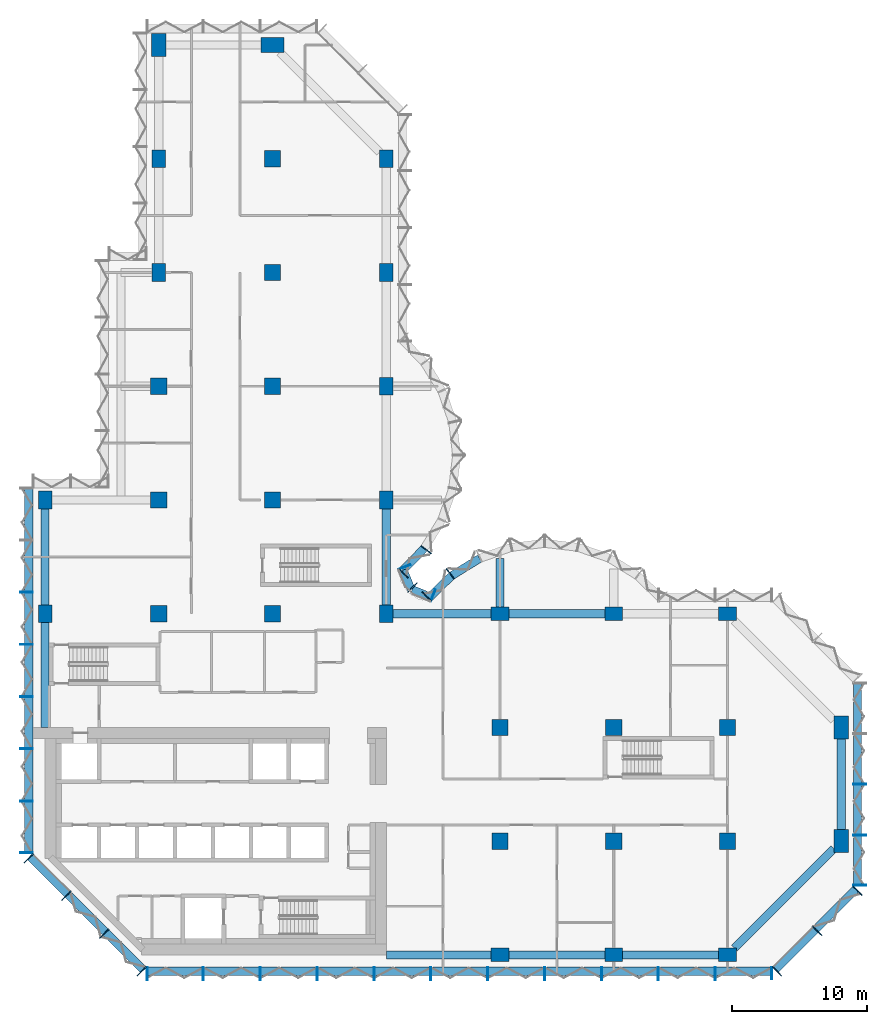
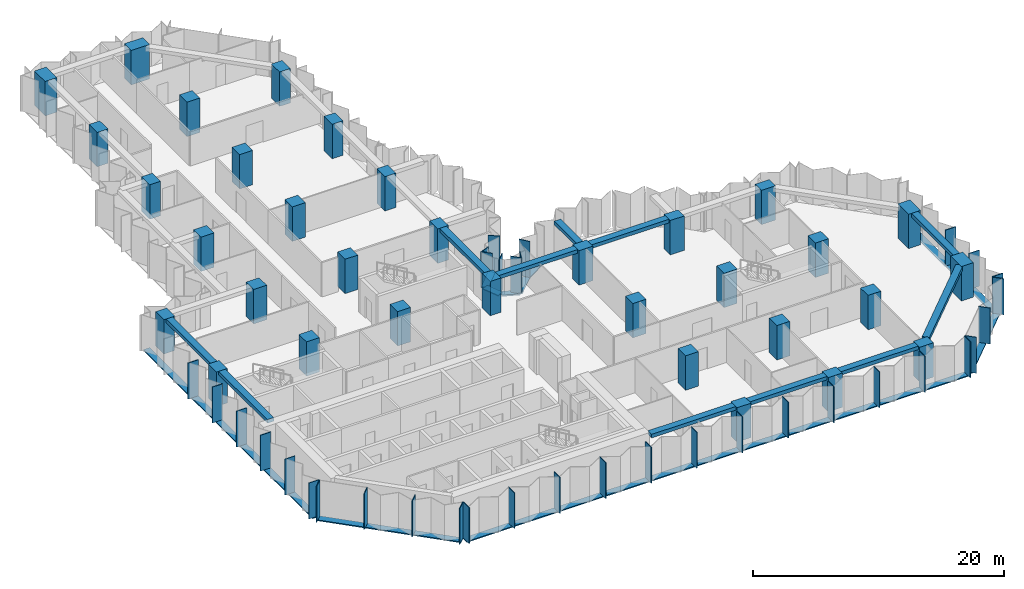
# One storey, part 1 of 11: 45 members, 33 columns, 11 beams, 8 elements without a shape of their own.
"""IFC4 building model written with IfcOpenShell, lengths in metres."""

from ifc_helpers import new_model, si_unit, direction, frame, origin, origin_2d, place, context, subcontext, project, spatial, rectangle, extrude, material, material_profile, profile_set, type_object, element, aggregate, save


model = new_model("IFC4")

# Units and contexts
model_context = context("Model", 3, precision=1e-05, world=origin(), true_north=direction((0.0, 1.0)))
body_context = subcontext(model_context, "Body", "Model", "MODEL_VIEW")
ifc_project = project(units=[si_unit("LENGTHUNIT", "METRE"), si_unit("AREAUNIT", "SQUARE_METRE"), si_unit("VOLUMEUNIT", "CUBIC_METRE"), si_unit("PLANEANGLEUNIT", "RADIAN"), si_unit("MASSUNIT", "GRAM", prefix="KILO")], contexts=[model_context])

# Site, building, storey
site_placement = place(None, origin())
site = spatial("IfcSite", under=ifc_project, at=site_placement, CompositionType="ELEMENT")
building_placement = place(site_placement, origin())
building = spatial("IfcBuilding", under=site, at=building_placement, Name="Brevane Broadcast Tower", CompositionType="ELEMENT")
storey_placement = place(building_placement, frame((0.0, 0.0, 138.5)))
storey = spatial("IfcBuildingStorey", under=building, at=storey_placement, Name="L34", CompositionType="ELEMENT", Elevation=138.5)

# Columns
ifc_material_1 = material(Name="Concrete C60/75", Category="concrete")
ifc_material_profile_1 = material_profile(ifc_material_1, rectangle(XDim=1.0, YDim=1.300048828125, at=origin_2d()), Name="RC 1000x1300")
ifc_profile_set_1 = profile_set([ifc_material_profile_1], Name="Concrete C60/75")
column_type_1 = type_object("IfcColumnType", Name="RC COLUMN EDGE 1000x1300 C60/75", PredefinedType="COLUMN", material=ifc_profile_set_1)
for number, where, z_axis, x_axis, name in (
    (1, (0.0, 25.199951171875, 0.0), (0.0, 0.0, 1.0), (1.0, 0.0, 0.0), "CE8 1/D"),
    (2, (0.0, 33.60009765625, 0.0), (0.0, 0.0, 1.0), (1.0, 0.0, 0.0), "CE8 1/E"),
    (3, (8.39990234375, 50.39990234375, 0.0), (0.0, 0.0, 1.0), (1.0, 0.0, 0.0), "CE8 2/G"),
    (4, (8.39990234375, 58.800048828125, 0.0), (0.0, 0.0, 1.0), (1.0, 0.0, 0.0), "CE8 2/H"),
    (5, (25.199951171875, 25.199951171875, 0.0), (0.0, 0.0, 1.0), (1.0, 0.0, 0.0), "CE8 4/D"),
    (6, (25.199951171875, 33.60009765625, 0.0), (0.0, 0.0, 1.0), (1.0, 0.0, 0.0), "CE8 4/E"),
    (7, (25.199951171875, 42.0, 0.0), (0.0, 0.0, 1.0), (1.0, 0.0, 0.0), "CE8 4/F"),
    (8, (25.199951171875, 50.39990234375, 0.0), (0.0, 0.0, 1.0), (1.0, 0.0, 0.0), "CE8 4/G"),
    (9, (25.199951171875, 58.800048828125, 0.0), (0.0, 0.0, 1.0), (1.0, 0.0, 0.0), "CE8 4/H"),
    (10, (33.60009765625, 0.0, 0.0), (0.0, 0.0, 1.0), (0.0, 1.0, 0.0), "CE8 5/A"),
    (11, (33.60009765625, 25.199951171875, 0.0), (0.0, 0.0, 1.0), (0.0, 1.0, 0.0), "CE8 5/D"),
    (12, (42.0, 0.0, 0.0), (0.0, 0.0, 1.0), (0.0, 1.0, 0.0), "CE8 6/A"),
    (13, (42.0, 25.199951171875, 0.0), (0.0, 0.0, 1.0), (0.0, 1.0, 0.0), "CE8 6/D"),
    (14, (50.39990234375, 0.0, 0.0), (0.0, 0.0, 1.0), (0.0, 1.0, 0.0), "CE8 7/A"),
    (15, (50.39990234375, 25.199951171875, 0.0), (0.0, 0.0, 1.0), (0.0, 1.0, 0.0), "CE8 7/D"),
):
    element("IfcColumn", number, at=place(storey_placement, frame(where, z_axis=z_axis, x_axis=x_axis)), inside=storey, type_object=column_type_1, Name=name, PredefinedType="COLUMN", context=body_context, shape_type="SweptSolid", body=[
        extrude(rectangle(XDim=1.0, YDim=1.300048828125, at=origin_2d()), origin(), (0.0, 0.0, 1.0), 3.35009765625),
    ])
ifc_material_profile_2 = material_profile(ifc_material_1, rectangle(XDim=1.199951171875, YDim=1.199951171875, at=origin_2d()), Name="RC 1200x1200")
ifc_profile_set_2 = profile_set([ifc_material_profile_2], Name="Concrete C60/75")
column_type_2 = type_object("IfcColumnType", Name="RC COLUMN INTERIOR 1200x1200 C60/75", PredefinedType="COLUMN", material=ifc_profile_set_2)
for number, where, z_axis, x_axis, name in (
    (16, (8.39990234375, 25.199951171875, 0.0), (0.0, 0.0, 1.0), (1.0, 0.0, 0.0), "CI9 2/D"),
    (17, (8.39990234375, 33.60009765625, 0.0), (0.0, 0.0, 1.0), (1.0, 0.0, 0.0), "CI9 2/E"),
    (18, (8.39990234375, 42.0, 0.0), (0.0, 0.0, 1.0), (1.0, 0.0, 0.0), "CI9 2/F"),
    (19, (16.800048828125, 25.199951171875, 0.0), (0.0, 0.0, 1.0), (1.0, 0.0, 0.0), "CI9 3/D"),
    (20, (16.800048828125, 33.60009765625, 0.0), (0.0, 0.0, 1.0), (1.0, 0.0, 0.0), "CI9 3/E"),
    (21, (16.800048828125, 42.0, 0.0), (0.0, 0.0, 1.0), (1.0, 0.0, 0.0), "CI9 3/F"),
    (22, (16.800048828125, 50.39990234375, 0.0), (0.0, 0.0, 1.0), (1.0, 0.0, 0.0), "CI9 3/G"),
    (23, (16.800048828125, 58.800048828125, 0.0), (0.0, 0.0, 1.0), (1.0, 0.0, 0.0), "CI9 3/H"),
    (24, (33.60009765625, 8.39990234375, 0.0), (0.0, 0.0, 1.0), (1.0, 0.0, 0.0), "CI9 5/B"),
    (25, (33.60009765625, 16.800048828125, 0.0), (0.0, 0.0, 1.0), (1.0, 0.0, 0.0), "CI9 5/C"),
    (26, (42.0, 8.39990234375, 0.0), (0.0, 0.0, 1.0), (1.0, 0.0, 0.0), "CI9 6/B"),
    (27, (42.0, 16.800048828125, 0.0), (0.0, 0.0, 1.0), (1.0, 0.0, 0.0), "CI9 6/C"),
    (28, (50.39990234375, 8.39990234375, 0.0), (0.0, 0.0, 1.0), (1.0, 0.0, 0.0), "CI9 7/B"),
    (29, (50.39990234375, 16.800048828125, 0.0), (0.0, 0.0, 1.0), (1.0, 0.0, 0.0), "CI9 7/C"),
):
    element("IfcColumn", number, at=place(storey_placement, frame(where, z_axis=z_axis, x_axis=x_axis)), inside=storey, type_object=column_type_2, Name=name, PredefinedType="COLUMN", context=body_context, shape_type="SweptSolid", body=[
        extrude(rectangle(XDim=1.199951171875, YDim=1.199951171875, at=origin_2d()), origin(), (0.0, 0.0, 1.0), 3.35009765625),
    ])
ifc_material_profile_3 = material_profile(ifc_material_1, rectangle(XDim=1.10009765625, YDim=1.699951171875, at=origin_2d()), Name="RC 1100x1700")
ifc_profile_set_3 = profile_set([ifc_material_profile_3], Name="Concrete C60/75")
column_type_3 = type_object("IfcColumnType", Name="RC COLUMN WING-END 1100x1700 C60/75", PredefinedType="COLUMN", material=ifc_profile_set_3)
for number, where, z_axis, x_axis, name in (
    (30, (8.39990234375, 67.199951171875, 0.0), (0.0, 0.0, 1.0), (1.0, 0.0, 0.0), "CW10 2/I"),
    (31, (16.800048828125, 67.199951171875, 0.0), (0.0, 0.0, 1.0), (0.0, 1.0, 0.0), "CW10 3/I"),
    (32, (58.800048828125, 8.39990234375, 0.0), (0.0, 0.0, 1.0), (1.0, 0.0, 0.0), "CW10 8/B"),
    (33, (58.800048828125, 16.800048828125, 0.0), (0.0, 0.0, 1.0), (1.0, 0.0, 0.0), "CW10 8/C"),
):
    element("IfcColumn", number, at=place(storey_placement, frame(where, z_axis=z_axis, x_axis=x_axis)), inside=storey, type_object=column_type_3, Name=name, PredefinedType="COLUMN", context=body_context, shape_type="SweptSolid", body=[
        extrude(rectangle(XDim=1.10009765625, YDim=1.699951171875, at=origin_2d()), origin(), (0.0, 0.0, 1.0), 3.35009765625),
    ])

# Curtain wall, members
ifc_material_2 = material(Name="Aluminium 6063-T6 bronze anodised", Category="aluminium")
curtain_wall_type = type_object("IfcCurtainWallType", Name="CW-1 curtain wall", PredefinedType="NOTDEFINED", material=ifc_material_2)
curtain_wall_1_placement = place(storey_placement, origin())
curtain_wall_1 = element("IfcCurtainWall", 34, at=curtain_wall_1_placement, inside=storey, type_object=curtain_wall_type, Name="CW-1 typical tilted unit L34 south face", PredefinedType="NOTDEFINED")
ifc_material_profile_4 = material_profile(ifc_material_2, rectangle(XDim=0.949951171875, YDim=0.070068359375, at=origin_2d()), Name="RECT 70x950")
ifc_profile_set_4 = profile_set([ifc_material_profile_4], Name="Aluminium 6063-T6 bronze anodised")
member_type_1 = type_object("IfcMemberType", Name="CW-1 mullion 70x950", PredefinedType="MULLION", material=ifc_profile_set_4)
member_1_placement = place(storey_placement, frame((7.534912109375, -1.375, -0.14990234375), z_axis=(0.0, 0.0, 1.0), x_axis=(0.0, 1.0, 0.0)))
member_1 = element("IfcMember", 35, at=member_1_placement, type_object=member_type_1, Name="CW-1 mullion", PredefinedType="MULLION", context=body_context, shape_type="SweptSolid", body=[
    extrude(rectangle(XDim=0.949951171875, YDim=0.070068359375, at=origin_2d()), origin(), (0.0, 0.0, 1.0), 3.5),
])
member_2_placement = place(storey_placement, frame((11.699951171875, -1.375, -0.14990234375), z_axis=(0.0, 0.0, 1.0), x_axis=(0.0, 1.0, 0.0)))
member_2 = element("IfcMember", 36, at=member_2_placement, type_object=member_type_1, Name="CW-1 mullion", PredefinedType="MULLION", context=body_context, shape_type="SweptSolid", body=[
    extrude(rectangle(XDim=0.949951171875, YDim=0.070068359375, at=origin_2d()), origin(), (0.0, 0.0, 1.0), 3.5),
])
member_3_placement = place(storey_placement, frame((15.89990234375, -1.375, -0.14990234375), z_axis=(0.0, 0.0, 1.0), x_axis=(0.0, 1.0, 0.0)))
member_3 = element("IfcMember", 37, at=member_3_placement, type_object=member_type_1, Name="CW-1 mullion", PredefinedType="MULLION", context=body_context, shape_type="SweptSolid", body=[
    extrude(rectangle(XDim=0.949951171875, YDim=0.070068359375, at=origin_2d()), origin(), (0.0, 0.0, 1.0), 3.5),
])
member_4_placement = place(storey_placement, frame((20.10009765625, -1.375, -0.14990234375), z_axis=(0.0, 0.0, 1.0), x_axis=(0.0, 1.0, 0.0)))
member_4 = element("IfcMember", 38, at=member_4_placement, type_object=member_type_1, Name="CW-1 mullion", PredefinedType="MULLION", context=body_context, shape_type="SweptSolid", body=[
    extrude(rectangle(XDim=0.949951171875, YDim=0.070068359375, at=origin_2d()), origin(), (0.0, 0.0, 1.0), 3.5),
])
member_5_placement = place(storey_placement, frame((24.300048828125, -1.375, -0.14990234375), z_axis=(0.0, 0.0, 1.0), x_axis=(0.0, 1.0, 0.0)))
member_5 = element("IfcMember", 39, at=member_5_placement, type_object=member_type_1, Name="CW-1 mullion", PredefinedType="MULLION", context=body_context, shape_type="SweptSolid", body=[
    extrude(rectangle(XDim=0.949951171875, YDim=0.070068359375, at=origin_2d()), origin(), (0.0, 0.0, 1.0), 3.5),
])
member_6_placement = place(storey_placement, frame((28.5, -1.375, -0.14990234375), z_axis=(0.0, 0.0, 1.0), x_axis=(0.0, 1.0, 0.0)))
member_6 = element("IfcMember", 40, at=member_6_placement, type_object=member_type_1, Name="CW-1 mullion", PredefinedType="MULLION", context=body_context, shape_type="SweptSolid", body=[
    extrude(rectangle(XDim=0.949951171875, YDim=0.070068359375, at=origin_2d()), origin(), (0.0, 0.0, 1.0), 3.5),
])
member_7_placement = place(storey_placement, frame((32.699951171875, -1.375, -0.14990234375), z_axis=(0.0, 0.0, 1.0), x_axis=(0.0, 1.0, 0.0)))
member_7 = element("IfcMember", 41, at=member_7_placement, type_object=member_type_1, Name="CW-1 mullion", PredefinedType="MULLION", context=body_context, shape_type="SweptSolid", body=[
    extrude(rectangle(XDim=0.949951171875, YDim=0.070068359375, at=origin_2d()), origin(), (0.0, 0.0, 1.0), 3.5),
])
member_8_placement = place(storey_placement, frame((36.89990234375, -1.375, -0.14990234375), z_axis=(0.0, 0.0, 1.0), x_axis=(0.0, 1.0, 0.0)))
member_8 = element("IfcMember", 42, at=member_8_placement, type_object=member_type_1, Name="CW-1 mullion", PredefinedType="MULLION", context=body_context, shape_type="SweptSolid", body=[
    extrude(rectangle(XDim=0.949951171875, YDim=0.070068359375, at=origin_2d()), origin(), (0.0, 0.0, 1.0), 3.5),
])
member_9_placement = place(storey_placement, frame((41.10009765625, -1.375, -0.14990234375), z_axis=(0.0, 0.0, 1.0), x_axis=(0.0, 1.0, 0.0)))
member_9 = element("IfcMember", 43, at=member_9_placement, type_object=member_type_1, Name="CW-1 mullion", PredefinedType="MULLION", context=body_context, shape_type="SweptSolid", body=[
    extrude(rectangle(XDim=0.949951171875, YDim=0.070068359375, at=origin_2d()), origin(), (0.0, 0.0, 1.0), 3.5),
])
member_10_placement = place(storey_placement, frame((45.300048828125, -1.375, -0.14990234375), z_axis=(0.0, 0.0, 1.0), x_axis=(0.0, 1.0, 0.0)))
member_10 = element("IfcMember", 44, at=member_10_placement, type_object=member_type_1, Name="CW-1 mullion", PredefinedType="MULLION", context=body_context, shape_type="SweptSolid", body=[
    extrude(rectangle(XDim=0.949951171875, YDim=0.070068359375, at=origin_2d()), origin(), (0.0, 0.0, 1.0), 3.5),
])
member_11_placement = place(storey_placement, frame((49.5, -1.375, -0.14990234375), z_axis=(0.0, 0.0, 1.0), x_axis=(0.0, 1.0, 0.0)))
member_11 = element("IfcMember", 45, at=member_11_placement, type_object=member_type_1, Name="CW-1 mullion", PredefinedType="MULLION", context=body_context, shape_type="SweptSolid", body=[
    extrude(rectangle(XDim=0.949951171875, YDim=0.070068359375, at=origin_2d()), origin(), (0.0, 0.0, 1.0), 3.5),
])
member_12_placement = place(storey_placement, frame((53.6650390625, -1.375, -0.14990234375), z_axis=(0.0, 0.0, 1.0), x_axis=(0.0, 1.0, 0.0)))
member_12 = element("IfcMember", 46, at=member_12_placement, type_object=member_type_1, Name="CW-1 mullion", PredefinedType="MULLION", context=body_context, shape_type="SweptSolid", body=[
    extrude(rectangle(XDim=0.949951171875, YDim=0.070068359375, at=origin_2d()), origin(), (0.0, 0.0, 1.0), 3.5),
])

curtain_wall_2_placement = place(storey_placement, origin())
curtain_wall_2 = element("IfcCurtainWall", 47, at=curtain_wall_2_placement, inside=storey, type_object=curtain_wall_type, Name="CW-1 typical tilted unit L34 south-east chamfer", PredefinedType="NOTDEFINED")
member_13_placement = place(storey_placement, frame((54.060546875, -1.211181640625, -0.14990234375), z_axis=(0.0, 0.0, 1.0), x_axis=(-0.707106781187, 0.707106781187, 0.0)))
member_13 = element("IfcMember", 48, at=member_13_placement, type_object=member_type_1, Name="CW-1 mullion", PredefinedType="MULLION", context=body_context, shape_type="SweptSolid", body=[
    extrude(rectangle(XDim=0.949951171875, YDim=0.070068359375, at=origin_2d()), origin(), (0.0, 0.0, 1.0), 3.5),
])
member_14_placement = place(storey_placement, frame((57.035888671875, 1.76416015625, -0.14990234375), z_axis=(0.0, 0.0, 1.0), x_axis=(-0.707106781187, 0.707106781187, 0.0)))
member_14 = element("IfcMember", 49, at=member_14_placement, type_object=member_type_1, Name="CW-1 mullion", PredefinedType="MULLION", context=body_context, shape_type="SweptSolid", body=[
    extrude(rectangle(XDim=0.949951171875, YDim=0.070068359375, at=origin_2d()), origin(), (0.0, 0.0, 1.0), 3.5),
])
member_15_placement = place(storey_placement, frame((60.01123046875, 4.7392578125, -0.14990234375), z_axis=(0.0, 0.0, 1.0), x_axis=(-0.707106781187, 0.707106781187, 0.0)))
member_15 = element("IfcMember", 50, at=member_15_placement, type_object=member_type_1, Name="CW-1 mullion", PredefinedType="MULLION", context=body_context, shape_type="SweptSolid", body=[
    extrude(rectangle(XDim=0.949951171875, YDim=0.070068359375, at=origin_2d()), origin(), (0.0, 0.0, 1.0), 3.5),
])

curtain_wall_3_placement = place(storey_placement, origin())
curtain_wall_3 = element("IfcCurtainWall", 51, at=curtain_wall_3_placement, inside=storey, type_object=curtain_wall_type, Name="CW-1 typical tilted unit L34 east end", PredefinedType="NOTDEFINED")
member_16_placement = place(storey_placement, frame((60.175048828125, 5.135009765625, -0.14990234375), z_axis=(0.0, 0.0, 1.0), x_axis=(-1.0, 0.0, 0.0)))
member_16 = element("IfcMember", 52, at=member_16_placement, type_object=member_type_1, Name="CW-1 mullion", PredefinedType="MULLION", context=body_context, shape_type="SweptSolid", body=[
    extrude(rectangle(XDim=0.949951171875, YDim=0.070068359375, at=origin_2d()), origin(), (0.0, 0.0, 1.0), 3.5),
])
member_17_placement = place(storey_placement, frame((60.175048828125, 8.85009765625, -0.14990234375), z_axis=(0.0, 0.0, 1.0), x_axis=(-1.0, 0.0, 0.0)))
member_17 = element("IfcMember", 53, at=member_17_placement, type_object=member_type_1, Name="CW-1 mullion", PredefinedType="MULLION", context=body_context, shape_type="SweptSolid", body=[
    extrude(rectangle(XDim=0.949951171875, YDim=0.070068359375, at=origin_2d()), origin(), (0.0, 0.0, 1.0), 3.5),
])
member_18_placement = place(storey_placement, frame((60.175048828125, 12.60009765625, -0.14990234375), z_axis=(0.0, 0.0, 1.0), x_axis=(-1.0, 0.0, 0.0)))
member_18 = element("IfcMember", 54, at=member_18_placement, type_object=member_type_1, Name="CW-1 mullion", PredefinedType="MULLION", context=body_context, shape_type="SweptSolid", body=[
    extrude(rectangle(XDim=0.949951171875, YDim=0.070068359375, at=origin_2d()), origin(), (0.0, 0.0, 1.0), 3.5),
])

curtain_wall_4_placement = place(storey_placement, origin())
curtain_wall_4 = element("IfcCurtainWall", 55, at=curtain_wall_4_placement, inside=storey, type_object=curtain_wall_type, Name="CW-1 typical tilted unit L34 east bow", PredefinedType="NOTDEFINED")
member_19_placement = place(storey_placement, frame((29.927978515625, 28.1455078125, -0.14990234375), z_axis=(0.0, 0.0, 1.0), x_axis=(0.614769738617, -0.788706642853, 0.0)))
member_19 = element("IfcMember", 56, at=member_19_placement, type_object=member_type_1, Name="CW-1 mullion", PredefinedType="MULLION", context=body_context, shape_type="SweptSolid", body=[
    extrude(rectangle(XDim=0.949951171875, YDim=0.070068359375, at=origin_2d()), origin(), (0.0, 0.0, 1.0), 3.5),
])
member_20_placement = place(storey_placement, frame((28.194091796875, 26.465087890625, -0.14990234375), z_axis=(0.0, 0.0, 1.0), x_axis=(0.696811941702, -0.717253872699, 0.0)))
member_20 = element("IfcMember", 57, at=member_20_placement, type_object=member_type_1, Name="CW-1 mullion", PredefinedType="MULLION", context=body_context, shape_type="SweptSolid", body=[
    extrude(rectangle(XDim=0.949951171875, YDim=0.070068359375, at=origin_2d()), origin(), (0.0, 0.0, 1.0), 3.5),
])

curtain_wall_5_placement = place(storey_placement, origin())
curtain_wall_5 = element("IfcCurtainWall", 58, at=curtain_wall_5_placement, inside=storey, type_object=curtain_wall_type, Name="CW-1 typical tilted unit L34 inner corner", PredefinedType="NOTDEFINED")
member_21_placement = place(storey_placement, frame((28.6494140625, 26.55224609375, -0.14990234375), z_axis=(0.0, 0.0, 1.0), x_axis=(-0.382683612978, -0.923879457699, 0.0)))
member_21 = element("IfcMember", 59, at=member_21_placement, type_object=member_type_1, Name="CW-1 mullion", PredefinedType="MULLION", context=body_context, shape_type="SweptSolid", body=[
    extrude(rectangle(XDim=0.949951171875, YDim=0.070068359375, at=origin_2d()), origin(), (0.0, 0.0, 1.0), 3.5),
])
member_22_placement = place(storey_placement, frame((27.138916015625, 27.138916015625, -0.14990234375), z_axis=(0.0, 0.0, 1.0), x_axis=(-0.707106781187, -0.707106781187, 0.0)))
member_22 = element("IfcMember", 60, at=member_22_placement, type_object=member_type_1, Name="CW-1 mullion", PredefinedType="MULLION", context=body_context, shape_type="SweptSolid", body=[
    extrude(rectangle(XDim=0.949951171875, YDim=0.070068359375, at=origin_2d()), origin(), (0.0, 0.0, 1.0), 3.5),
])
member_23_placement = place(storey_placement, frame((26.55224609375, 28.6494140625, -0.14990234375), z_axis=(0.0, 0.0, 1.0), x_axis=(-0.923879457699, -0.382683612978, 0.0)))
member_23 = element("IfcMember", 61, at=member_23_placement, type_object=member_type_1, Name="CW-1 mullion", PredefinedType="MULLION", context=body_context, shape_type="SweptSolid", body=[
    extrude(rectangle(XDim=0.949951171875, YDim=0.070068359375, at=origin_2d()), origin(), (0.0, 0.0, 1.0), 3.5),
])

curtain_wall_6_placement = place(storey_placement, origin())
curtain_wall_6 = element("IfcCurtainWall", 62, at=curtain_wall_6_placement, inside=storey, type_object=curtain_wall_type, Name="CW-1 typical tilted unit L34 north bow", PredefinedType="NOTDEFINED")
member_24_placement = place(storey_placement, frame((26.465087890625, 28.194091796875, -0.14990234375), z_axis=(0.0, 0.0, 1.0), x_axis=(-0.717253872699, 0.696811941702, 0.0)))
member_24 = element("IfcMember", 63, at=member_24_placement, type_object=member_type_1, Name="CW-1 mullion", PredefinedType="MULLION", context=body_context, shape_type="SweptSolid", body=[
    extrude(rectangle(XDim=0.949951171875, YDim=0.070068359375, at=origin_2d()), origin(), (0.0, 0.0, 1.0), 3.5),
])
member_25_placement = place(storey_placement, frame((28.1455078125, 29.927978515625, -0.14990234375), z_axis=(0.0, 0.0, 1.0), x_axis=(-0.788706642853, 0.614769738617, 0.0)))
member_25 = element("IfcMember", 64, at=member_25_placement, type_object=member_type_1, Name="CW-1 mullion", PredefinedType="MULLION", context=body_context, shape_type="SweptSolid", body=[
    extrude(rectangle(XDim=0.949951171875, YDim=0.070068359375, at=origin_2d()), origin(), (0.0, 0.0, 1.0), 3.5),
])

curtain_wall_7_placement = place(storey_placement, origin())
curtain_wall_7 = element("IfcCurtainWall", 65, at=curtain_wall_7_placement, inside=storey, type_object=curtain_wall_type, Name="CW-1 typical tilted unit L34 west face", PredefinedType="NOTDEFINED")
member_26_placement = place(storey_placement, frame((-1.375, 26.78564453125, -0.14990234375), z_axis=(0.0, 0.0, 1.0), x_axis=(1.0, 0.0, 0.0)))
member_26 = element("IfcMember", 66, at=member_26_placement, type_object=member_type_1, Name="CW-1 mullion", PredefinedType="MULLION", context=body_context, shape_type="SweptSolid", body=[
    extrude(rectangle(XDim=0.949951171875, YDim=0.070068359375, at=origin_2d()), origin(), (0.0, 0.0, 1.0), 3.5),
])
member_27_placement = place(storey_placement, frame((-1.375, 22.928466796875, -0.14990234375), z_axis=(0.0, 0.0, 1.0), x_axis=(1.0, 0.0, 0.0)))
member_27 = element("IfcMember", 67, at=member_27_placement, type_object=member_type_1, Name="CW-1 mullion", PredefinedType="MULLION", context=body_context, shape_type="SweptSolid", body=[
    extrude(rectangle(XDim=0.949951171875, YDim=0.070068359375, at=origin_2d()), origin(), (0.0, 0.0, 1.0), 3.5),
])
member_28_placement = place(storey_placement, frame((-1.375, 19.071533203125, -0.14990234375), z_axis=(0.0, 0.0, 1.0), x_axis=(1.0, 0.0, 0.0)))
member_28 = element("IfcMember", 68, at=member_28_placement, type_object=member_type_1, Name="CW-1 mullion", PredefinedType="MULLION", context=body_context, shape_type="SweptSolid", body=[
    extrude(rectangle(XDim=0.949951171875, YDim=0.070068359375, at=origin_2d()), origin(), (0.0, 0.0, 1.0), 3.5),
])
member_29_placement = place(storey_placement, frame((-1.375, 15.21435546875, -0.14990234375), z_axis=(0.0, 0.0, 1.0), x_axis=(1.0, 0.0, 0.0)))
member_29 = element("IfcMember", 69, at=member_29_placement, type_object=member_type_1, Name="CW-1 mullion", PredefinedType="MULLION", context=body_context, shape_type="SweptSolid", body=[
    extrude(rectangle(XDim=0.949951171875, YDim=0.070068359375, at=origin_2d()), origin(), (0.0, 0.0, 1.0), 3.5),
])
member_30_placement = place(storey_placement, frame((-1.375, 11.357177734375, -0.14990234375), z_axis=(0.0, 0.0, 1.0), x_axis=(1.0, 0.0, 0.0)))
member_30 = element("IfcMember", 70, at=member_30_placement, type_object=member_type_1, Name="CW-1 mullion", PredefinedType="MULLION", context=body_context, shape_type="SweptSolid", body=[
    extrude(rectangle(XDim=0.949951171875, YDim=0.070068359375, at=origin_2d()), origin(), (0.0, 0.0, 1.0), 3.5),
])
member_31_placement = place(storey_placement, frame((-1.375, 7.534912109375, -0.14990234375), z_axis=(0.0, 0.0, 1.0), x_axis=(1.0, 0.0, 0.0)))
member_31 = element("IfcMember", 71, at=member_31_placement, type_object=member_type_1, Name="CW-1 mullion", PredefinedType="MULLION", context=body_context, shape_type="SweptSolid", body=[
    extrude(rectangle(XDim=0.949951171875, YDim=0.070068359375, at=origin_2d()), origin(), (0.0, 0.0, 1.0), 3.5),
])

curtain_wall_8_placement = place(storey_placement, origin())
curtain_wall_8 = element("IfcCurtainWall", 72, at=curtain_wall_8_placement, inside=storey, type_object=curtain_wall_type, Name="CW-1 typical tilted unit L34 south-west chamfer", PredefinedType="NOTDEFINED")
member_32_placement = place(storey_placement, frame((-1.211181640625, 7.139404296875, -0.14990234375), z_axis=(0.0, 0.0, 1.0), x_axis=(0.707106781187, 0.707106781187, 0.0)))
member_32 = element("IfcMember", 73, at=member_32_placement, type_object=member_type_1, Name="CW-1 mullion", PredefinedType="MULLION", context=body_context, shape_type="SweptSolid", body=[
    extrude(rectangle(XDim=0.949951171875, YDim=0.070068359375, at=origin_2d()), origin(), (0.0, 0.0, 1.0), 3.5),
])
member_33_placement = place(storey_placement, frame((1.564208984375, 4.364013671875, -0.14990234375), z_axis=(0.0, 0.0, 1.0), x_axis=(0.707106781187, 0.707106781187, 0.0)))
member_33 = element("IfcMember", 74, at=member_33_placement, type_object=member_type_1, Name="CW-1 mullion", PredefinedType="MULLION", context=body_context, shape_type="SweptSolid", body=[
    extrude(rectangle(XDim=0.949951171875, YDim=0.070068359375, at=origin_2d()), origin(), (0.0, 0.0, 1.0), 3.5),
])
member_34_placement = place(storey_placement, frame((4.364013671875, 1.564208984375, -0.14990234375), z_axis=(0.0, 0.0, 1.0), x_axis=(0.707106781187, 0.707106781187, 0.0)))
member_34 = element("IfcMember", 75, at=member_34_placement, type_object=member_type_1, Name="CW-1 mullion", PredefinedType="MULLION", context=body_context, shape_type="SweptSolid", body=[
    extrude(rectangle(XDim=0.949951171875, YDim=0.070068359375, at=origin_2d()), origin(), (0.0, 0.0, 1.0), 3.5),
])
member_35_placement = place(storey_placement, frame((7.139404296875, -1.211181640625, -0.14990234375), z_axis=(0.0, 0.0, 1.0), x_axis=(0.707106781187, 0.707106781187, 0.0)))
member_35 = element("IfcMember", 76, at=member_35_placement, type_object=member_type_1, Name="CW-1 mullion", PredefinedType="MULLION", context=body_context, shape_type="SweptSolid", body=[
    extrude(rectangle(XDim=0.949951171875, YDim=0.070068359375, at=origin_2d()), origin(), (0.0, 0.0, 1.0), 3.5),
])

# Member
ifc_material_profile_5 = material_profile(ifc_material_2, rectangle(XDim=0.60009765625, YDim=0.10009765625, at=origin_2d()), Name="RECT 100x600")
ifc_profile_set_5 = profile_set([ifc_material_profile_5], Name="Aluminium 6063-T6 bronze anodised")
member_type_2 = type_object("IfcMemberType", Name="CW-1 transom 100x600", PredefinedType="USERDEFINED", material=ifc_profile_set_5)
member_36_placement = place(storey_placement, frame((7.5, -1.199951171875, -0.199951171875), z_axis=(1.0, 0.0, 0.0), x_axis=(0.0, 1.0, 0.0)))
member_36 = element("IfcMember", 77, at=member_36_placement, type_object=member_type_2, Name="CW-1 transom", ObjectType="TRANSOM", PredefinedType="USERDEFINED", context=body_context, shape_type="SweptSolid", body=[
    extrude(rectangle(XDim=0.60009765625, YDim=0.10009765625, at=origin_2d()), origin(), (0.0, 0.0, 1.0), 46.199951171875),
])

aggregate(curtain_wall_1, [member_1, member_2, member_3, member_4, member_5, member_6, member_7, member_8, member_9, member_10, member_11, member_12, member_36])

member_37_placement = place(storey_placement, frame((53.912109375, -1.112060546875, -0.199951171875), z_axis=(0.707106781187, 0.707106781187, 0.0), x_axis=(-0.707106781187, 0.707106781187, 0.0)))
member_37 = element("IfcMember", 78, at=member_37_placement, type_object=member_type_2, Name="CW-1 transom", ObjectType="TRANSOM", PredefinedType="USERDEFINED", context=body_context, shape_type="SweptSolid", body=[
    extrude(rectangle(XDim=0.60009765625, YDim=0.10009765625, at=origin_2d()), origin(), (0.0, 0.0, 1.0), 8.4853515625),
])

aggregate(curtain_wall_2, [member_13, member_14, member_15, member_37])

member_38_placement = place(storey_placement, frame((60.0, 5.10009765625, -0.199951171875), z_axis=(0.0, 1.0, 0.0), x_axis=(-1.0, 0.0, 0.0)))
member_38 = element("IfcMember", 79, at=member_38_placement, type_object=member_type_2, Name="CW-1 transom", ObjectType="TRANSOM", PredefinedType="USERDEFINED", context=body_context, shape_type="SweptSolid", body=[
    extrude(rectangle(XDim=0.60009765625, YDim=0.10009765625, at=origin_2d()), origin(), (0.0, 0.0, 1.0), 15.0),
])

aggregate(curtain_wall_3, [member_16, member_17, member_18, member_38])

member_39_placement = place(storey_placement, frame((32.09521484375, 29.281494140625, -0.199951171875), z_axis=(-0.850838211365, -0.525427766759, 0.0), x_axis=(0.525427766759, -0.850838211365, 0.0)))
member_39 = element("IfcMember", 80, at=member_39_placement, type_object=member_type_2, Name="CW-1 transom", ObjectType="TRANSOM", PredefinedType="USERDEFINED", context=body_context, shape_type="SweptSolid", body=[
    extrude(rectangle(XDim=0.60009765625, YDim=0.10009765625, at=origin_2d()), origin(), (0.0, 0.0, 1.0), 2.394775390625),
])

member_40_placement = place(storey_placement, frame((29.99951171875, 27.974365234375, -0.199951171875), z_axis=(-0.71724215871, -0.696823999134, 0.0), x_axis=(0.696823999134, -0.71724215871, 0.0)))
member_40 = element("IfcMember", 81, at=member_40_placement, type_object=member_type_2, Name="CW-1 transom", ObjectType="TRANSOM", PredefinedType="USERDEFINED", context=body_context, shape_type="SweptSolid", body=[
    extrude(rectangle(XDim=0.60009765625, YDim=0.10009765625, at=origin_2d()), origin(), (0.0, 0.0, 1.0), 2.247802734375),
])

aggregate(curtain_wall_4, [member_19, member_20, member_39, member_40])

member_41_placement = place(storey_placement, frame((28.528076171875, 26.40673828125, -0.199951171875), z_axis=(-0.923883243627, 0.382674472816, 0.0), x_axis=(-0.382674472816, -0.923883243627, 0.0)))
member_41 = element("IfcMember", 82, at=member_41_placement, type_object=member_type_2, Name="CW-1 transom", ObjectType="TRANSOM", PredefinedType="USERDEFINED", context=body_context, shape_type="SweptSolid", body=[
    extrude(rectangle(XDim=0.60009765625, YDim=0.10009765625, at=origin_2d()), origin(), (0.0, 0.0, 1.0), 1.536865234375),
])

member_42_placement = place(storey_placement, frame((27.039794921875, 27.0, -0.199951171875), z_axis=(-0.382674472816, 0.923883243627, 0.0), x_axis=(-0.923883243627, -0.382674472816, 0.0)))
member_42 = element("IfcMember", 83, at=member_42_placement, type_object=member_type_2, Name="CW-1 transom", ObjectType="TRANSOM", PredefinedType="USERDEFINED", context=body_context, shape_type="SweptSolid", body=[
    extrude(rectangle(XDim=0.60009765625, YDim=0.10009765625, at=origin_2d()), origin(), (0.0, 0.0, 1.0), 1.536865234375),
])

aggregate(curtain_wall_5, [member_21, member_22, member_23, member_41, member_42])

member_43_placement = place(storey_placement, frame((26.407958984375, 28.38720703125, -0.199951171875), z_axis=(0.696823999134, 0.71724215871, 0.0), x_axis=(-0.71724215871, 0.696823999134, 0.0)))
member_43 = element("IfcMember", 84, at=member_43_placement, type_object=member_type_2, Name="CW-1 transom", ObjectType="TRANSOM", PredefinedType="USERDEFINED", context=body_context, shape_type="SweptSolid", body=[
    extrude(rectangle(XDim=0.60009765625, YDim=0.10009765625, at=origin_2d()), origin(), (0.0, 0.0, 1.0), 2.247802734375),
])

aggregate(curtain_wall_6, [member_24, member_25, member_43])

member_44_placement = place(storey_placement, frame((-1.199951171875, 34.5, -0.199951171875), z_axis=(0.0, -1.0, 0.0), x_axis=(1.0, 0.0, 0.0)))
member_44 = element("IfcMember", 85, at=member_44_placement, type_object=member_type_2, Name="CW-1 transom", ObjectType="TRANSOM", PredefinedType="USERDEFINED", context=body_context, shape_type="SweptSolid", body=[
    extrude(rectangle(XDim=0.60009765625, YDim=0.10009765625, at=origin_2d()), origin(), (0.0, 0.0, 1.0), 27.0),
])

aggregate(curtain_wall_7, [member_26, member_27, member_28, member_29, member_30, member_31, member_44])

member_45_placement = place(storey_placement, frame((-1.112060546875, 7.287841796875, -0.199951171875), z_axis=(0.707106781187, -0.707106781187, 0.0), x_axis=(0.707106781187, 0.707106781187, 0.0)))
member_45 = element("IfcMember", 86, at=member_45_placement, type_object=member_type_2, Name="CW-1 transom", ObjectType="TRANSOM", PredefinedType="USERDEFINED", context=body_context, shape_type="SweptSolid", body=[
    extrude(rectangle(XDim=0.60009765625, YDim=0.10009765625, at=origin_2d()), origin(), (0.0, 0.0, 1.0), 11.879150390625),
])

aggregate(curtain_wall_8, [member_32, member_33, member_34, member_35, member_45])

# Beams
ifc_material_3 = material(Name="Concrete C40/50", Category="concrete")
ifc_material_profile_6 = material_profile(ifc_material_3, rectangle(XDim=0.60009765625, YDim=0.35009765625, at=origin_2d()), Name="RC 600x350")
ifc_profile_set_6 = profile_set([ifc_material_profile_6], Name="Concrete C40/50")
beam_type_1 = type_object("IfcBeamType", Name="RC BRACKET BEAM 600x350 C40/50", PredefinedType="BEAM", material=ifc_profile_set_6)
beam_1_placement = place(storey_placement, frame((33.60009765625, 25.699951171875, 3.175048828125), z_axis=(0.0, 1.0, 0.0), x_axis=(-1.0, 0.0, 0.0)))
element("IfcBeam", 87, at=beam_1_placement, inside=storey, type_object=beam_type_1, Name="EB2 L34-3", PredefinedType="BEAM", context=body_context, shape_type="SweptSolid", body=[
    extrude(rectangle(XDim=0.60009765625, YDim=0.35009765625, at=origin_2d()), origin(), (0.0, 0.0, 1.0), 3.56201171875),
])
ifc_material_profile_7 = material_profile(ifc_material_3, rectangle(XDim=0.60009765625, YDim=0.35009765625, at=origin_2d()), Name="RC 600x350")
ifc_profile_set_7 = profile_set([ifc_material_profile_7], Name="Concrete C40/50")
beam_type_2 = type_object("IfcBeamType", Name="RC SPANDREL BEAM 600x350 C40/50", PredefinedType="SPANDREL", material=ifc_profile_set_7)
beam_2_placement = place(storey_placement, frame((25.199951171875, 0.0, 3.175048828125), z_axis=(1.0, 0.0, 0.0), x_axis=(0.0, 1.0, 0.0)))
element("IfcBeam", 88, at=beam_2_placement, inside=storey, type_object=beam_type_2, Name="EB1 L34-1", PredefinedType="SPANDREL", context=body_context, shape_type="SweptSolid", body=[
    extrude(rectangle(XDim=0.60009765625, YDim=0.35009765625, at=origin_2d()), origin(), (0.0, 0.0, 1.0), 7.75),
])
for number, where, z_axis, x_axis, name in (
    (89, (34.25, 0.0, 3.175048828125), (1.0, 0.0, 0.0), (0.0, 1.0, 0.0), "EB1 L34-2"),
    (90, (42.64990234375, 0.0, 3.175048828125), (1.0, 0.0, 0.0), (0.0, 1.0, 0.0), "EB1 L34-3"),
):
    element("IfcBeam", number, at=place(storey_placement, frame(where, z_axis=z_axis, x_axis=x_axis)), inside=storey, type_object=beam_type_2, Name=name, PredefinedType="SPANDREL", context=body_context, shape_type="SweptSolid", body=[
        extrude(rectangle(XDim=0.60009765625, YDim=0.35009765625, at=origin_2d()), origin(), (0.0, 0.0, 1.0), 7.10009765625),
    ])
beam_3_placement = place(storey_placement, frame((50.89990234375, 0.5, 3.175048828125), z_axis=(0.707106781187, 0.707106781187, 0.0), x_axis=(-0.707106781187, 0.707106781187, 0.0)))
element("IfcBeam", 91, at=beam_3_placement, inside=storey, type_object=beam_type_2, Name="EB1 L34-4", PredefinedType="SPANDREL", context=body_context, shape_type="SweptSolid", body=[
    extrude(rectangle(XDim=0.60009765625, YDim=0.35009765625, at=origin_2d()), origin(), (0.0, 0.0, 1.0), 10.39453125),
])
beam_4_placement = place(storey_placement, frame((58.800048828125, 9.25, 3.175048828125), z_axis=(0.0, 1.0, 0.0), x_axis=(-1.0, 0.0, 0.0)))
element("IfcBeam", 92, at=beam_4_placement, inside=storey, type_object=beam_type_2, Name="EB1 L34-5", PredefinedType="SPANDREL", context=body_context, shape_type="SweptSolid", body=[
    extrude(rectangle(XDim=0.60009765625, YDim=0.35009765625, at=origin_2d()), origin(), (0.0, 0.0, 1.0), 6.699951171875),
])
beam_5_placement = place(storey_placement, frame((41.35009765625, 25.199951171875, 3.175048828125), z_axis=(-1.0, 0.0, 0.0), x_axis=(0.0, -1.0, 0.0)))
element("IfcBeam", 93, at=beam_5_placement, inside=storey, type_object=beam_type_2, Name="EB1 L34-8", PredefinedType="SPANDREL", context=body_context, shape_type="SweptSolid", body=[
    extrude(rectangle(XDim=0.60009765625, YDim=0.35009765625, at=origin_2d()), origin(), (0.0, 0.0, 1.0), 7.10009765625),
])
beam_6_placement = place(storey_placement, frame((32.949951171875, 25.199951171875, 3.175048828125), z_axis=(-1.0, 0.0, 0.0), x_axis=(0.0, -1.0, 0.0)))
element("IfcBeam", 94, at=beam_6_placement, inside=storey, type_object=beam_type_2, Name="EB1 L34-9", PredefinedType="SPANDREL", context=body_context, shape_type="SweptSolid", body=[
    extrude(rectangle(XDim=0.60009765625, YDim=0.35009765625, at=origin_2d()), origin(), (0.0, 0.0, 1.0), 7.25),
])
for number, where, z_axis, x_axis, name in (
    (95, (25.199951171875, 25.85009765625, 3.175048828125), (0.0, 1.0, 0.0), (-1.0, 0.0, 0.0), "EB1 L34-10"),
    (96, (0.0, 32.949951171875, 3.175048828125), (0.0, -1.0, 0.0), (1.0, 0.0, 0.0), "EB1 L34-16"),
):
    element("IfcBeam", number, at=place(storey_placement, frame(where, z_axis=z_axis, x_axis=x_axis)), inside=storey, type_object=beam_type_2, Name=name, PredefinedType="SPANDREL", context=body_context, shape_type="SweptSolid", body=[
        extrude(rectangle(XDim=0.60009765625, YDim=0.35009765625, at=origin_2d()), origin(), (0.0, 0.0, 1.0), 7.099853515625),
    ])
beam_7_placement = place(storey_placement, frame((0.0, 24.550048828125, 3.175048828125), z_axis=(0.0, -1.0, 0.0), x_axis=(1.0, 0.0, 0.0)))
element("IfcBeam", 97, at=beam_7_placement, inside=storey, type_object=beam_type_2, Name="EB1 L34-17", PredefinedType="SPANDREL", context=body_context, shape_type="SweptSolid", body=[
    extrude(rectangle(XDim=0.60009765625, YDim=0.35009765625, at=origin_2d()), origin(), (0.0, 0.0, 1.0), 7.75),
])

save(model, "model.ifc")
